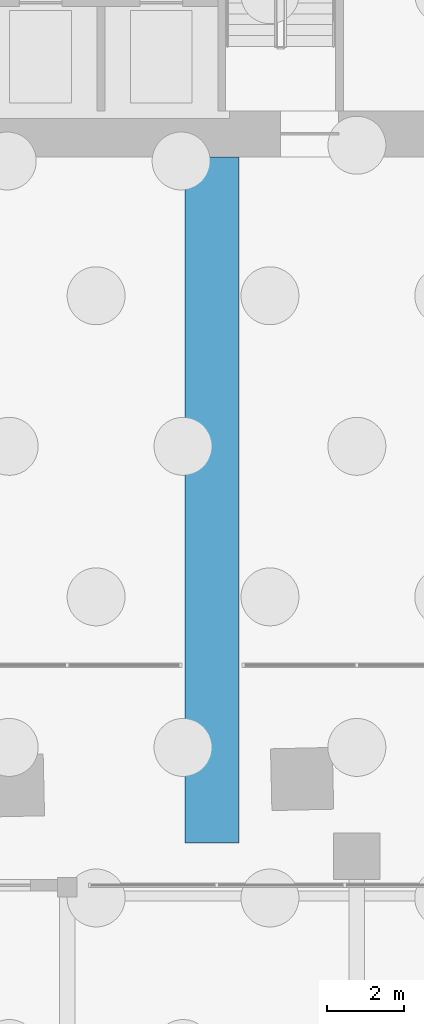
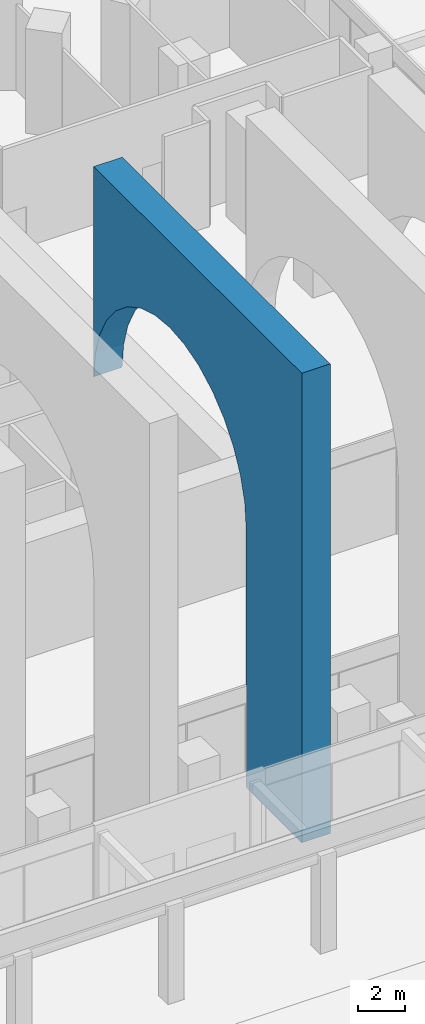
# One storey, part 17 of 46: 1 member.
"""IFC4 building model written with IfcOpenShell, lengths in metres."""

from ifc_helpers import new_model, si_unit, direction, frame, origin, place, context, subcontext, project, spatial, polyline, outline, extrude, material, material_profile, profile_set, type_object, element, save


model = new_model("IFC4")

# Units and contexts
model_context = context("Model", 3, precision=1e-05, world=origin(), true_north=direction((0.0, 1.0)))
body_context = subcontext(model_context, "Body", "Model", "MODEL_VIEW")
ifc_project = project(units=[si_unit("LENGTHUNIT", "METRE"), si_unit("AREAUNIT", "SQUARE_METRE"), si_unit("VOLUMEUNIT", "CUBIC_METRE"), si_unit("PLANEANGLEUNIT", "RADIAN"), si_unit("MASSUNIT", "GRAM", prefix="KILO")], contexts=[model_context])

# Site, building, storey
site_placement = place(None, origin())
site = spatial("IfcSite", under=ifc_project, at=site_placement, CompositionType="ELEMENT")
building_placement = place(site_placement, origin())
building = spatial("IfcBuilding", under=site, at=building_placement, Name="Mangrove Gate Tower", CompositionType="ELEMENT")
storey_placement = place(building_placement, origin())
storey = spatial("IfcBuildingStorey", under=building, at=storey_placement, Name="L00", CompositionType="ELEMENT", Elevation=0.0)

# Member
ifc_material = material(Name="Concrete C60/75", Category="concrete")
ifc_material_profile = material_profile(ifc_material, outline(polyline([(-8.875, 0.0), (-4.125, 0.0), (-4.125, 13.5), (-4.0, 14.76806640625), (-3.6298828125, 15.987060546875), (-3.030029296875, 17.111083984375), (-2.220947265625, 18.095947265625), (-1.236083984375, 18.905029296875), (-0.112060546875, 19.5048828125), (1.10693359375, 19.875), (2.375, 20.0), (3.64306640625, 19.875), (4.862060546875, 19.5048828125), (5.986083984375, 18.905029296875), (6.970947265625, 18.095947265625), (7.780029296875, 17.111083984375), (8.3798828125, 15.987060546875), (8.75, 14.76806640625), (8.875, 13.5), (8.875, 24.449951171875), (-8.875, 24.449951171875), (-8.875, 0.0)])))
ifc_profile_set = profile_set([ifc_material_profile], Name="Concrete C60/75")
member_type = type_object("IfcMemberType", Name="Arch frame ARCH FRAME 1400x17750 C60/75", PredefinedType="USERDEFINED", material=ifc_profile_set)
member_placement = place(storey_placement, frame((6.800048828125, -20.875, 0.0), z_axis=(1.0, 0.0, 0.0), x_axis=(0.0, 1.0, 0.0)))
element("IfcMember", 1, at=member_placement, inside=storey, type_object=member_type, Name="Arch frame XP08", ObjectType="ARCH FRAME", PredefinedType="USERDEFINED", context=body_context, shape_type="SweptSolid", body=[
    extrude(outline(polyline([(-8.875, 0.0), (-4.125, 0.0), (-4.125, 13.5), (-4.0, 14.76806640625), (-3.6298828125, 15.987060546875), (-3.030029296875, 17.111083984375), (-2.220947265625, 18.095947265625), (-1.236083984375, 18.905029296875), (-0.112060546875, 19.5048828125), (1.10693359375, 19.875), (2.375, 20.0), (3.64306640625, 19.875), (4.862060546875, 19.5048828125), (5.986083984375, 18.905029296875), (6.970947265625, 18.095947265625), (7.780029296875, 17.111083984375), (8.3798828125, 15.987060546875), (8.75, 14.76806640625), (8.875, 13.5), (8.875, 24.449951171875), (-8.875, 24.449951171875), (-8.875, 0.0)])), origin(), (0.0, 0.0, 1.0), 1.39990234375),
])

save(model, "model.ifc")
